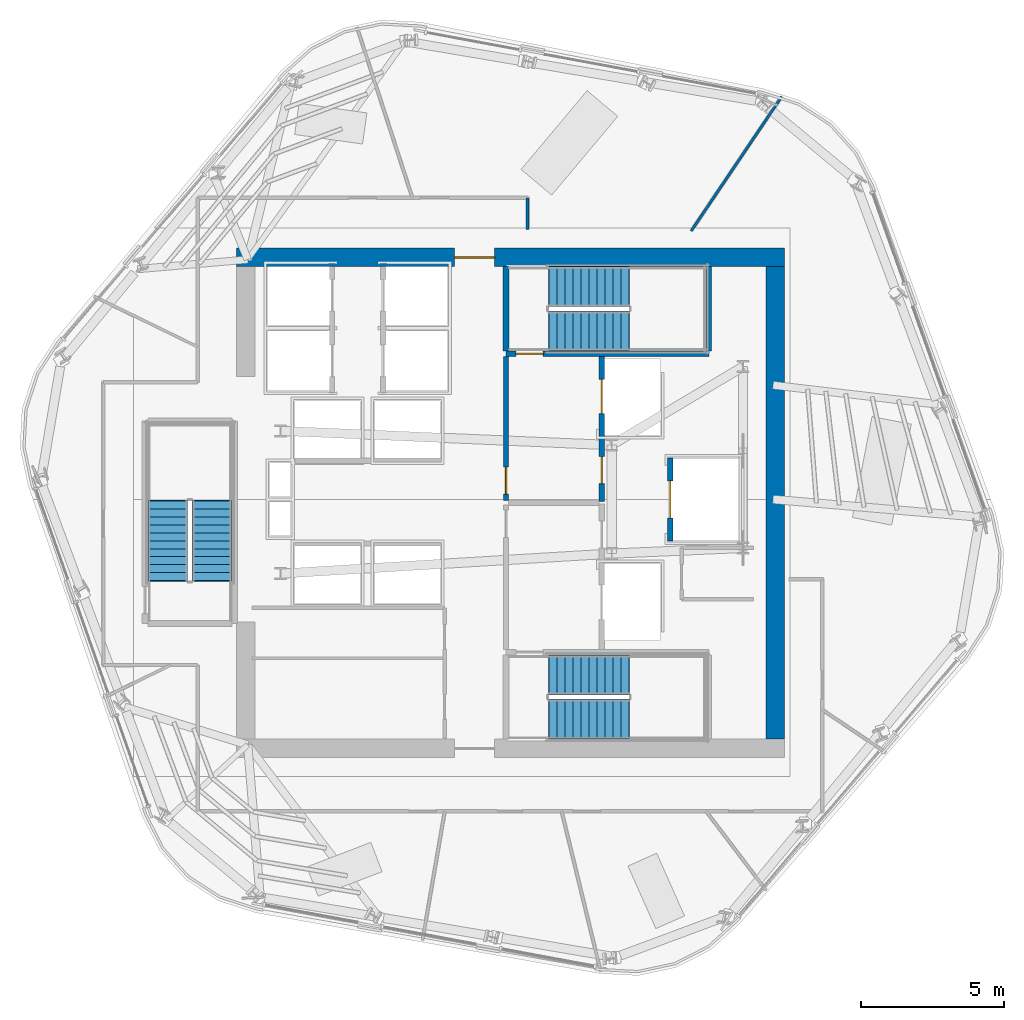
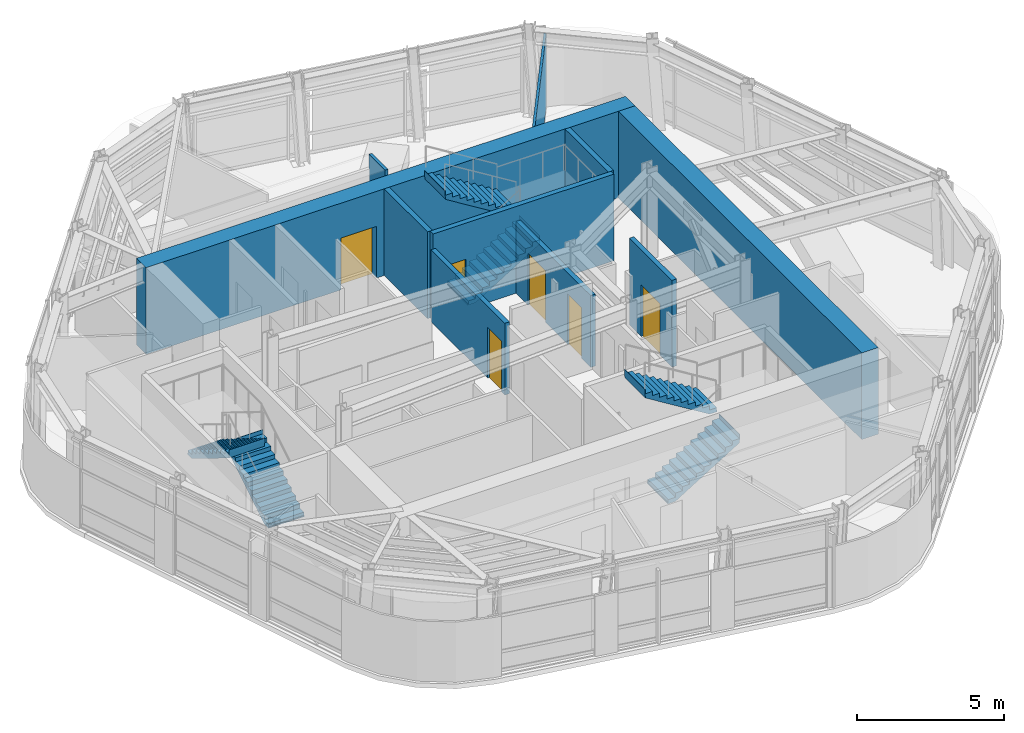
# One storey, part 7 of 12: 10 walls, 6 doors, 6 stair flights, 6 openings, 3 elements without a shape of their own.
"""IFC4 building model written with IfcOpenShell, lengths in metres."""

from ifc_helpers import new_model, si_unit, direction, frame, frame_2d, origin, place, context, subcontext, project, spatial, polyline, rectangle, outline, extrude, material, layer, layer_set, type_object, element, fill, aggregate, save


model = new_model("IFC4")

# Units and contexts
model_context = context("Model", 3, precision=1e-05, world=origin(), true_north=direction((0.0, 1.0)))
body_context = subcontext(model_context, "Body", "Model", "MODEL_VIEW")
ifc_project = project(units=[si_unit("LENGTHUNIT", "METRE"), si_unit("AREAUNIT", "SQUARE_METRE"), si_unit("VOLUMEUNIT", "CUBIC_METRE"), si_unit("PLANEANGLEUNIT", "RADIAN"), si_unit("MASSUNIT", "GRAM", prefix="KILO")], contexts=[model_context])

# Site, building, storey
site_placement = place(None, origin())
site = spatial("IfcSite", under=ifc_project, at=site_placement, CompositionType="ELEMENT")
building_placement = place(site_placement, origin())
building = spatial("IfcBuilding", under=site, at=building_placement, Name="Valkerne Bourse Tower", CompositionType="ELEMENT")
storey_placement = place(building_placement, frame((0.0, 0.0, 236.0)))
storey = spatial("IfcBuildingStorey", under=building, at=storey_placement, Name="L60", CompositionType="ELEMENT", Elevation=236.0)

# Wall, opening, door
ifc_material_1 = material(Name="Concrete C55/67", Category="concrete")
ifc_layer_1 = layer(ifc_material_1, 0.64990234375)
ifc_layer_set_1 = layer_set([ifc_layer_1], Name="Concrete C55/67")
wall_type_1 = type_object("IfcWallType", Name="W-CORE-650", PredefinedType="SHEAR", material=ifc_layer_set_1)
wall_1_placement = place(storey_placement, frame((37.199951171875, 35.47509765625, 0.0), z_axis=(0.0, 0.0, 1.0), x_axis=(1.0, 0.0, 0.0)))
wall_1 = element("IfcWall", 1, at=wall_1_placement, inside=storey, type_object=wall_type_1, Name="L60 Core Shear Wall NORTH", PredefinedType="SHEAR", context=body_context, shape_type="SweptSolid", body=[
    extrude(rectangle(XDim=19.199951171875, YDim=0.64990234375, at=frame_2d((9.60009765625, 0.0))), origin(), (0.0, 0.0, 1.0), 3.60009765625),
])
opening_1_placement = place(wall_1_placement, frame((7.64990234375, 0.0, 0.0)))
opening_1 = element("IfcOpeningElement", 2, at=opening_1_placement, cuts=wall_1, Name="Opening D-PL-1400", PredefinedType="OPENING", context=body_context, shape_type="SweptSolid", body=[
    extrude(rectangle(XDim=1.39990234375, YDim=2.14990234375, at=frame_2d((0.699951171875, 1.074951171875))), frame((0.0, 0.3349609375, 0.0), z_axis=(0.0, -1.0, 0.0), x_axis=(1.0, 0.0, 0.0)), (0.0, 0.0, 1.0), 0.669921875),
])
ifc_material_2 = material(Name="Galvanised Painted Steel", Category="steel")
door_type_1 = type_object("IfcDoorType", Name="DR-PLT-1400", OperationType="DOUBLE_DOOR_SINGLE_SWING", PredefinedType="DOOR", material=ifc_material_2)
door_1_placement = place(opening_1_placement, origin())
door_1 = element("IfcDoor", 3, at=door_1_placement, inside=storey, type_object=door_type_1, Name="L60 North Passenger Lift Hall Fire Door", OperationType="DOUBLE_DOOR_SINGLE_SWING", OverallHeight=2.14990234375, OverallWidth=1.39990234375, PredefinedType="DOOR", context=body_context, shape_type="SweptSolid", body=[
    extrude(rectangle(XDim=1.39990234375, YDim=2.14990234375, at=frame_2d((0.699951171875, 1.074951171875))), frame((0.0, 0.02490234375, 0.0), z_axis=(0.0, -1.0, 0.0), x_axis=(1.0, 0.0, 0.0)), (0.0, 0.0, 1.0), 0.050048828125),
])
fill(opening_1, door_1)

# Walls
wall_2_placement = place(storey_placement, frame((56.074951171875, 18.60009765625, 0.0), z_axis=(0.0, 0.0, 1.0), x_axis=(0.0, 1.0, 0.0)))
element("IfcWall", 4, at=wall_2_placement, inside=storey, type_object=wall_type_1, Name="L60 Core Shear Wall EAST", PredefinedType="SHEAR", context=body_context, shape_type="SweptSolid", body=[
    extrude(rectangle(XDim=16.5498046875, YDim=0.64990234375, at=frame_2d((8.27490234375, 0.0))), origin(), (0.0, 0.0, 1.0), 3.60009765625),
])
ifc_material_3 = material(Name="Gypsum Board Steel-Stud Partition", Category="steel")
ifc_layer_2 = layer(ifc_material_3, 0.117919921875)
ifc_layer_set_2 = layer_set([ifc_layer_2], Name="Gypsum Board Steel-Stud Partition")
wall_type_2 = type_object("IfcWallType", Name="W-CORR-140", PredefinedType="PARTITIONING", material=ifc_layer_set_2)
wall_3_placement = place(storey_placement, frame((47.39990234375, 37.56005859375, 0.0), z_axis=(0.0, 0.0, 1.0), x_axis=(0.0, -1.0, 0.0)))
element("IfcWall", 5, at=wall_3_placement, inside=storey, type_object=wall_type_2, Name="L60 Corridor Enclosure Wall", PredefinedType="PARTITIONING", context=body_context, shape_type="SweptSolid", body=[
    extrude(rectangle(XDim=1.10009765625, YDim=0.117919921875, at=frame_2d((0.550048828125, 0.0))), origin(), (0.0, 0.0, 1.0), 3.300048828125),
])

# Wall, opening, door
ifc_material_4 = material(Name="Gypsum Fire-Rated Shaftwall", Category="gypsum")
ifc_layer_3 = layer(ifc_material_4, 0.179931640625)
ifc_layer_set_3 = layer_set([ifc_layer_3], Name="Gypsum Fire-Rated Shaftwall")
wall_type_3 = type_object("IfcWallType", Name="W-FSAE-180", PredefinedType="PARTITIONING", material=ifc_layer_set_3)
wall_4_placement = place(storey_placement, frame((46.64990234375, 26.9599609375, 0.0), z_axis=(0.0, 0.0, 1.0), x_axis=(0.0, 1.0, 0.0)))
wall_4 = element("IfcWall", 6, at=wall_4_placement, inside=storey, type_object=wall_type_3, Name="L60 FSAE-2 Lobby West Fire Wall", PredefinedType="PARTITIONING", context=body_context, shape_type="SweptSolid", body=[
    extrude(rectangle(XDim=5.0400390625, YDim=0.179931640625, at=frame_2d((2.52001953125, 0.0))), origin(), (0.0, 0.0, 1.0), 2.977783203125),
])
opening_2_placement = place(wall_4_placement, frame((0.219970703125, 0.0, 0.0)))
opening_2 = element("IfcOpeningElement", 7, at=opening_2_placement, cuts=wall_4, Name="Opening D-FS-950", PredefinedType="OPENING", context=body_context, shape_type="SweptSolid", body=[
    extrude(rectangle(XDim=0.949951171875, YDim=2.10009765625, at=frame_2d((0.47509765625, 1.050048828125))), frame((0.0, 0.099853515625, 0.0), z_axis=(0.0, -1.0, 0.0), x_axis=(1.0, 0.0, 0.0)), (0.0, 0.0, 1.0), 0.199951171875),
])
door_type_2 = type_object("IfcDoorType", Name="DR-FSAE-950", OperationType="NOTDEFINED", PredefinedType="DOOR", material=ifc_material_2)
door_2_placement = place(opening_2_placement, origin())
door_2 = element("IfcDoor", 8, at=door_2_placement, inside=storey, type_object=door_type_2, Name="L60 FSAE-2 Hall Link Fire Door", OperationType="SINGLE_SWING_LEFT", OverallHeight=2.10009765625, OverallWidth=0.949951171875, PredefinedType="DOOR", context=body_context, shape_type="SweptSolid", body=[
    extrude(rectangle(XDim=0.949951171875, YDim=2.10009765625, at=frame_2d((0.47509765625, 1.050048828125))), frame((0.0, 0.02490234375, 0.0), z_axis=(0.0, -1.0, 0.0), x_axis=(1.0, 0.0, 0.0)), (0.0, 0.0, 1.0), 0.050048828125),
])
fill(opening_2, door_2)

# Wall, openings, doors
wall_5_placement = place(storey_placement, frame((50.0, 26.919921875, 0.0), z_axis=(0.0, 0.0, 1.0), x_axis=(0.0, 1.0, 0.0)))
wall_5 = element("IfcWall", 9, at=wall_5_placement, inside=storey, type_object=wall_type_3, Name="L60 FSAE-2 Lobby & Shaft Front Wall", PredefinedType="PARTITIONING", context=body_context, shape_type="SweptSolid", body=[
    extrude(rectangle(XDim=5.080078125, YDim=0.179931640625, at=frame_2d((2.5400390625, 0.0))), origin(), (0.0, 0.0, 1.0), 2.977783203125),
])
opening_3_placement = place(wall_5_placement, frame((3.080078125, 0.0, 0.0)))
opening_3 = element("IfcOpeningElement", 10, at=opening_3_placement, cuts=wall_5, Name="Opening LD-1200", PredefinedType="OPENING", context=body_context, shape_type="SweptSolid", body=[
    extrude(rectangle(XDim=1.199951171875, YDim=2.14990234375, at=frame_2d((0.60009765625, 1.074951171875))), frame((0.0, 0.099853515625, 0.0), z_axis=(0.0, -1.0, 0.0), x_axis=(1.0, 0.0, 0.0)), (0.0, 0.0, 1.0), 0.199951171875),
])
opening_4_placement = place(wall_5_placement, frame((0.6298828125, 0.0, 0.0)))
opening_4 = element("IfcOpeningElement", 11, at=opening_4_placement, cuts=wall_5, Name="Opening D-FS-950", PredefinedType="OPENING", context=body_context, shape_type="SweptSolid", body=[
    extrude(rectangle(XDim=0.949951171875, YDim=2.10009765625, at=frame_2d((0.47509765625, 1.050048828125))), frame((0.0, 0.099853515625, 0.0), z_axis=(0.0, -1.0, 0.0), x_axis=(1.0, 0.0, 0.0)), (0.0, 0.0, 1.0), 0.199951171875),
])
door_3_placement = place(opening_4_placement, origin())
door_3 = element("IfcDoor", 12, at=door_3_placement, inside=storey, type_object=door_type_2, Name="L60 FSAE-2 Lobby Corridor Fire Door", OperationType="SINGLE_SWING_LEFT", OverallHeight=2.10009765625, OverallWidth=0.949951171875, PredefinedType="DOOR", context=body_context, shape_type="SweptSolid", body=[
    extrude(rectangle(XDim=0.949951171875, YDim=2.10009765625, at=frame_2d((0.47509765625, 1.050048828125))), frame((0.0, 0.02490234375, 0.0), z_axis=(0.0, -1.0, 0.0), x_axis=(1.0, 0.0, 0.0)), (0.0, 0.0, 1.0), 0.050048828125),
])
fill(opening_4, door_3)
ifc_material_5 = material(Name="Stainless Steel AISI 316", Category="steel")
door_type_3 = type_object("IfcDoorType", Name="DR-LIFT-1200", OperationType="DOUBLE_DOOR_SLIDING", PredefinedType="DOOR", material=ifc_material_5)
door_4_placement = place(opening_3_placement, origin())
door_4 = element("IfcDoor", 13, at=door_4_placement, inside=storey, type_object=door_type_3, Name="L60 FSAE-2 Firefighting Lift Landing Door", OperationType="DOUBLE_DOOR_SLIDING", OverallHeight=2.14990234375, OverallWidth=1.199951171875, PredefinedType="DOOR", context=body_context, shape_type="SweptSolid", body=[
    extrude(rectangle(XDim=1.199951171875, YDim=2.14990234375, at=frame_2d((0.60009765625, 1.074951171875))), frame((0.0, 0.02490234375, 0.0), z_axis=(0.0, -1.0, 0.0), x_axis=(1.0, 0.0, 0.0)), (0.0, 0.0, 1.0), 0.050048828125),
])
fill(opening_3, door_4)

# Wall, opening, door
ifc_material_6 = material(Name="CMU Blockwork Masonry 200mm", Category="masonry")
ifc_layer_4 = layer(ifc_material_6, 0.179931640625)
ifc_layer_set_4 = layer_set([ifc_layer_4], Name="CMU Blockwork Masonry 200mm")
wall_type_4 = type_object("IfcWallType", Name="W-LFT-180", PredefinedType="SOLIDWALL", material=ifc_layer_set_4)
wall_6_placement = place(storey_placement, frame((52.39990234375, 25.550048828125, 0.0), z_axis=(0.0, 0.0, 1.0), x_axis=(0.0, 1.0, 0.0)))
wall_6 = element("IfcWall", 14, at=wall_6_placement, inside=storey, type_object=wall_type_4, Name="L60 Service Lift SV-1 Front Wall", PredefinedType="SOLIDWALL", context=body_context, shape_type="SweptSolid", body=[
    extrude(rectangle(XDim=2.89990234375, YDim=0.179931640625, at=frame_2d((1.449951171875, 0.0))), origin(), (0.0, 0.0, 1.0), 3.60009765625),
])
opening_5_placement = place(wall_6_placement, frame((0.800048828125, 0.0, 0.0)))
opening_5 = element("IfcOpeningElement", 15, at=opening_5_placement, cuts=wall_6, Name="Opening LD-1300", PredefinedType="OPENING", context=body_context, shape_type="SweptSolid", body=[
    extrude(rectangle(XDim=1.300048828125, YDim=2.14990234375, at=frame_2d((0.64990234375, 1.074951171875))), frame((0.0, 0.099853515625, 0.0), z_axis=(0.0, -1.0, 0.0), x_axis=(1.0, 0.0, 0.0)), (0.0, 0.0, 1.0), 0.199951171875),
])
door_type_4 = type_object("IfcDoorType", Name="DR-LIFT-1300", OperationType="DOUBLE_DOOR_SLIDING", PredefinedType="DOOR", material=ifc_material_5)
door_5_placement = place(opening_5_placement, origin())
door_5 = element("IfcDoor", 16, at=door_5_placement, inside=storey, type_object=door_type_4, Name="L60 Service Lift SV-1 Landing Door", OperationType="DOUBLE_DOOR_SLIDING", OverallHeight=2.14990234375, OverallWidth=1.300048828125, PredefinedType="DOOR", context=body_context, shape_type="SweptSolid", body=[
    extrude(rectangle(XDim=1.300048828125, YDim=2.14990234375, at=frame_2d((0.64990234375, 1.074951171875))), frame((0.0, 0.02490234375, 0.0), z_axis=(0.0, -1.0, 0.0), x_axis=(1.0, 0.0, 0.0)), (0.0, 0.0, 1.0), 0.050048828125),
])
fill(opening_5, door_5)

# Wall
ifc_layer_5 = layer(ifc_material_3, 0.092041015625)
ifc_layer_set_5 = layer_set([ifc_layer_5], Name="Gypsum Board Steel-Stud Partition")
wall_type_5 = type_object("IfcWallType", Name="W-PART-115", PredefinedType="PARTITIONING", material=ifc_layer_set_5)
wall_7_placement = place(storey_placement, frame((53.13330078125, 36.39990234375, 0.0), z_axis=(0.0, 0.0, 1.0), x_axis=(0.558734469546, 0.829346605793, 0.0)))
element("IfcWall", 17, at=wall_7_placement, inside=storey, type_object=wall_type_5, Name="L60 Suite Partition P05", PredefinedType="PARTITIONING", context=body_context, shape_type="SweptSolid", body=[
    extrude(rectangle(XDim=5.6748046875, YDim=0.092041015625, at=frame_2d((2.83740234375, 0.0))), origin(), (0.0, 0.0, 1.0), 3.036376953125),
])

# Wall, opening, door
ifc_material_7 = material(Name="Concrete C40/50", Category="concrete")
ifc_layer_6 = layer(ifc_material_7, 0.199951171875)
ifc_layer_set_6 = layer_set([ifc_layer_6], Name="Concrete C40/50")
wall_type_6 = type_object("IfcWallType", Name="W-SHF-200", PredefinedType="SHEAR", material=ifc_layer_set_6)
wall_8_placement = place(storey_placement, frame((46.64990234375, 32.10009765625, 0.0), z_axis=(0.0, 0.0, 1.0), x_axis=(1.0, 0.0, 0.0)))
wall_8 = element("IfcWall", 18, at=wall_8_placement, inside=storey, type_object=wall_type_6, Name="L60 Exit Stair ST-2 Structural Shaft Wall South", PredefinedType="SHEAR", context=body_context, shape_type="SweptSolid", body=[
    extrude(rectangle(XDim=7.10009765625, YDim=0.199951171875, at=frame_2d((3.550048828125, 0.0))), origin(), (0.0, 0.0, 1.0), 3.60009765625),
])
opening_6_placement = place(wall_8_placement, frame((0.35009765625, 0.0, 0.0)))
opening_6 = element("IfcOpeningElement", 19, at=opening_6_placement, cuts=wall_8, Name="Opening D-ST-950", PredefinedType="OPENING", context=body_context, shape_type="SweptSolid", body=[
    extrude(rectangle(XDim=0.949951171875, YDim=2.10009765625, at=frame_2d((0.47509765625, 1.050048828125))), frame((0.0, 0.10986328125, 0.0), z_axis=(0.0, -1.0, 0.0), x_axis=(1.0, 0.0, 0.0)), (0.0, 0.0, 1.0), 0.219970703125),
])
door_type_5 = type_object("IfcDoorType", Name="DR-STAIR-950", OperationType="NOTDEFINED", PredefinedType="DOOR", material=ifc_material_2)
door_6_placement = place(opening_6_placement, origin())
door_6 = element("IfcDoor", 20, at=door_6_placement, inside=storey, type_object=door_type_5, Name="L60 Exit Stair ST-2 Door", OperationType="SINGLE_SWING_RIGHT", OverallHeight=2.10009765625, OverallWidth=0.949951171875, PredefinedType="DOOR", context=body_context, shape_type="SweptSolid", body=[
    extrude(rectangle(XDim=0.949951171875, YDim=2.10009765625, at=frame_2d((0.47509765625, 1.050048828125))), frame((0.0, 0.02490234375, 0.0), z_axis=(0.0, -1.0, 0.0), x_axis=(1.0, 0.0, 0.0)), (0.0, 0.0, 1.0), 0.050048828125),
])
fill(opening_6, door_6)

# Walls
for number, where, z_axis, x_axis, name in (
    (21, (46.64990234375, 32.199951171875, 0.0), (0.0, 0.0, 1.0), (0.0, 1.0, 0.0), "L60 Exit Stair ST-2 Structural Shaft Wall West"),
    (22, (53.75, 32.199951171875, 0.0), (0.0, 0.0, 1.0), (0.0, 1.0, 0.0), "L60 Exit Stair ST-2 Structural Shaft Wall East"),
):
    element("IfcWall", number, at=place(storey_placement, frame(where, z_axis=z_axis, x_axis=x_axis)), inside=storey, type_object=wall_type_6, Name=name, PredefinedType="SHEAR", context=body_context, shape_type="SweptSolid", body=[
        extrude(rectangle(XDim=2.949951171875, YDim=0.199951171875, at=frame_2d((1.47509765625, 0.0))), origin(), (0.0, 0.0, 1.0), 3.60009765625),
    ])

# Stair, stair flights
stair_type = type_object("IfcStairType", Name="ST-CORE-1400", PredefinedType="HALF_TURN_STAIR", material=ifc_material_7)
stair_1_placement = place(storey_placement, origin())
stair_1 = element("IfcStair", 23, at=stair_1_placement, inside=storey, type_object=stair_type, Name="L60 ST-1", PredefinedType="HALF_TURN_STAIR")
stair_flight_type = type_object("IfcStairFlightType", Name="STF-CORE-1400", PredefinedType="STRAIGHT", material=ifc_material_7)
stair_flight_1_placement = place(storey_placement, frame((48.14990234375, 19.300048828125, 0.0), z_axis=(0.0, 0.0, 1.0), x_axis=(1.0, 0.0, 0.0)))
stair_flight_1 = element("IfcStairFlight", 24, at=stair_flight_1_placement, type_object=stair_flight_type, Name="ST-1 flight 1", NumberOfRisers=11, NumberOfTreads=10, PredefinedType="STRAIGHT", RiserHeight=0.172727273, TreadLength=0.28, context=body_context, shape_type="SweptSolid", body=[
    extrude(outline(polyline([(-0.02001953125, 0.0), (-0.02001953125, 0.044921875), (0.0, 0.044921875), (0.0, 0.172607421875), (0.280029296875, 0.172607421875), (0.280029296875, 0.345458984375), (0.56005859375, 0.345458984375), (0.56005859375, 0.51806640625), (0.840087890625, 0.51806640625), (0.840087890625, 0.69091796875), (1.1201171875, 0.69091796875), (1.1201171875, 0.863525390625), (1.39990234375, 0.863525390625), (1.39990234375, 1.036376953125), (1.679931640625, 1.036376953125), (1.679931640625, 1.208984375), (1.9599609375, 1.208984375), (1.9599609375, 1.3818359375), (2.239990234375, 1.3818359375), (2.239990234375, 1.554443359375), (2.52001953125, 1.554443359375), (2.52001953125, 1.727294921875), (2.800048828125, 1.727294921875), (2.800048828125, 1.89990234375), (2.820068359375, 1.89990234375), (2.820068359375, 1.780029296875), (2.800048828125, 1.551025390625), (0.285400390625, 0.0), (-0.02001953125, 0.0)])), frame((0.0, 0.699951171875, 0.0), z_axis=(0.0, -1.0, 0.0), x_axis=(1.0, 0.0, 0.0)), (0.0, 0.0, 1.0), 1.39990234375),
])
stair_flight_2_placement = place(storey_placement, frame((50.949951171875, 20.85009765625, 1.89990234375), z_axis=(0.0, 0.0, 1.0), x_axis=(-1.0, 0.0, 0.0)))
stair_flight_2 = element("IfcStairFlight", 25, at=stair_flight_2_placement, type_object=stair_flight_type, Name="ST-1 flight 2", NumberOfRisers=11, NumberOfTreads=10, PredefinedType="STRAIGHT", RiserHeight=0.172727273, TreadLength=0.28, context=body_context, shape_type="SweptSolid", body=[
    extrude(outline(polyline([(-0.02001953125, 0.0), (-0.02001953125, 0.044921875), (0.0, 0.044921875), (0.0, 0.172607421875), (0.280029296875, 0.172607421875), (0.280029296875, 0.345458984375), (0.56005859375, 0.345458984375), (0.56005859375, 0.51806640625), (0.840087890625, 0.51806640625), (0.840087890625, 0.69091796875), (1.1201171875, 0.69091796875), (1.1201171875, 0.863525390625), (1.39990234375, 0.863525390625), (1.39990234375, 1.036376953125), (1.679931640625, 1.036376953125), (1.679931640625, 1.208984375), (1.9599609375, 1.208984375), (1.9599609375, 1.3818359375), (2.239990234375, 1.3818359375), (2.239990234375, 1.554443359375), (2.52001953125, 1.554443359375), (2.52001953125, 1.727294921875), (2.800048828125, 1.727294921875), (2.800048828125, 1.89990234375), (2.820068359375, 1.89990234375), (2.820068359375, 1.780029296875), (2.800048828125, 1.551025390625), (0.285400390625, 0.0), (-0.02001953125, 0.0)])), frame((0.0, 0.699951171875, 0.0), z_axis=(0.0, -1.0, 0.0), x_axis=(1.0, 0.0, 0.0)), (0.0, 0.0, 1.0), 1.39990234375),
])
aggregate(stair_1, [stair_flight_1, stair_flight_2])

stair_2_placement = place(storey_placement, origin())
stair_2 = element("IfcStair", 26, at=stair_2_placement, inside=storey, type_object=stair_type, Name="L60 ST-2", PredefinedType="HALF_TURN_STAIR")
stair_flight_3_placement = place(storey_placement, frame((48.14990234375, 32.89990234375, 0.0), z_axis=(0.0, 0.0, 1.0), x_axis=(1.0, 0.0, 0.0)))
stair_flight_3 = element("IfcStairFlight", 27, at=stair_flight_3_placement, type_object=stair_flight_type, Name="ST-2 flight 1", NumberOfRisers=11, NumberOfTreads=10, PredefinedType="STRAIGHT", RiserHeight=0.172727273, TreadLength=0.28, context=body_context, shape_type="SweptSolid", body=[
    extrude(outline(polyline([(-0.02001953125, 0.0), (-0.02001953125, 0.044921875), (0.0, 0.044921875), (0.0, 0.172607421875), (0.280029296875, 0.172607421875), (0.280029296875, 0.345458984375), (0.56005859375, 0.345458984375), (0.56005859375, 0.51806640625), (0.840087890625, 0.51806640625), (0.840087890625, 0.69091796875), (1.1201171875, 0.69091796875), (1.1201171875, 0.863525390625), (1.39990234375, 0.863525390625), (1.39990234375, 1.036376953125), (1.679931640625, 1.036376953125), (1.679931640625, 1.208984375), (1.9599609375, 1.208984375), (1.9599609375, 1.3818359375), (2.239990234375, 1.3818359375), (2.239990234375, 1.554443359375), (2.52001953125, 1.554443359375), (2.52001953125, 1.727294921875), (2.800048828125, 1.727294921875), (2.800048828125, 1.89990234375), (2.820068359375, 1.89990234375), (2.820068359375, 1.780029296875), (2.800048828125, 1.551025390625), (0.285400390625, 0.0), (-0.02001953125, 0.0)])), frame((0.0, 0.699951171875, 0.0), z_axis=(0.0, -1.0, 0.0), x_axis=(1.0, 0.0, 0.0)), (0.0, 0.0, 1.0), 1.39990234375),
])
stair_flight_4_placement = place(storey_placement, frame((50.949951171875, 34.449951171875, 1.89990234375), z_axis=(0.0, 0.0, 1.0), x_axis=(-1.0, 0.0, 0.0)))
stair_flight_4 = element("IfcStairFlight", 28, at=stair_flight_4_placement, type_object=stair_flight_type, Name="ST-2 flight 2", NumberOfRisers=11, NumberOfTreads=10, PredefinedType="STRAIGHT", RiserHeight=0.172727273, TreadLength=0.28, context=body_context, shape_type="SweptSolid", body=[
    extrude(outline(polyline([(-0.02001953125, 0.0), (-0.02001953125, 0.044921875), (0.0, 0.044921875), (0.0, 0.172607421875), (0.280029296875, 0.172607421875), (0.280029296875, 0.345458984375), (0.56005859375, 0.345458984375), (0.56005859375, 0.51806640625), (0.840087890625, 0.51806640625), (0.840087890625, 0.69091796875), (1.1201171875, 0.69091796875), (1.1201171875, 0.863525390625), (1.39990234375, 0.863525390625), (1.39990234375, 1.036376953125), (1.679931640625, 1.036376953125), (1.679931640625, 1.208984375), (1.9599609375, 1.208984375), (1.9599609375, 1.3818359375), (2.239990234375, 1.3818359375), (2.239990234375, 1.554443359375), (2.52001953125, 1.554443359375), (2.52001953125, 1.727294921875), (2.800048828125, 1.727294921875), (2.800048828125, 1.89990234375), (2.820068359375, 1.89990234375), (2.820068359375, 1.780029296875), (2.800048828125, 1.551025390625), (0.285400390625, 0.0), (-0.02001953125, 0.0)])), frame((0.0, 0.699951171875, 0.0), z_axis=(0.0, -1.0, 0.0), x_axis=(1.0, 0.0, 0.0)), (0.0, 0.0, 1.0), 1.39990234375),
])
aggregate(stair_2, [stair_flight_3, stair_flight_4])

stair_3_placement = place(storey_placement, origin())
stair_3 = element("IfcStair", 29, at=stair_3_placement, inside=storey, type_object=stair_type, Name="L60 ST-3", PredefinedType="HALF_TURN_STAIR")
stair_flight_5_placement = place(storey_placement, frame((36.35009765625, 24.14990234375, 0.0), z_axis=(0.0, 0.0, 1.0), x_axis=(0.0, 1.0, 0.0)))
stair_flight_5 = element("IfcStairFlight", 30, at=stair_flight_5_placement, type_object=stair_flight_type, Name="ST-3 flight 1", NumberOfRisers=11, NumberOfTreads=10, PredefinedType="STRAIGHT", RiserHeight=0.172727273, TreadLength=0.28, context=body_context, shape_type="SweptSolid", body=[
    extrude(outline(polyline([(-0.02001953125, 0.0), (-0.02001953125, 0.044921875), (0.0, 0.044921875), (0.0, 0.172607421875), (0.280029296875, 0.172607421875), (0.280029296875, 0.345458984375), (0.56005859375, 0.345458984375), (0.56005859375, 0.51806640625), (0.840087890625, 0.51806640625), (0.840087890625, 0.69091796875), (1.1201171875, 0.69091796875), (1.1201171875, 0.863525390625), (1.39990234375, 0.863525390625), (1.39990234375, 1.036376953125), (1.679931640625, 1.036376953125), (1.679931640625, 1.208984375), (1.9599609375, 1.208984375), (1.9599609375, 1.3818359375), (2.239990234375, 1.3818359375), (2.239990234375, 1.554443359375), (2.52001953125, 1.554443359375), (2.52001953125, 1.727294921875), (2.800048828125, 1.727294921875), (2.800048828125, 1.89990234375), (2.820068359375, 1.89990234375), (2.820068359375, 1.780029296875), (2.800048828125, 1.551025390625), (0.285400390625, 0.0), (-0.02001953125, 0.0)])), frame((0.0, 0.699951171875, 0.0), z_axis=(0.0, -1.0, 0.0), x_axis=(1.0, 0.0, 0.0)), (0.0, 0.0, 1.0), 1.39990234375),
])
stair_flight_6_placement = place(storey_placement, frame((34.800048828125, 26.949951171875, 1.89990234375), z_axis=(0.0, 0.0, 1.0), x_axis=(0.0, -1.0, 0.0)))
stair_flight_6 = element("IfcStairFlight", 31, at=stair_flight_6_placement, type_object=stair_flight_type, Name="ST-3 flight 2", NumberOfRisers=11, NumberOfTreads=10, PredefinedType="STRAIGHT", RiserHeight=0.172727273, TreadLength=0.28, context=body_context, shape_type="SweptSolid", body=[
    extrude(outline(polyline([(-0.02001953125, 0.0), (-0.02001953125, 0.044921875), (0.0, 0.044921875), (0.0, 0.172607421875), (0.280029296875, 0.172607421875), (0.280029296875, 0.345458984375), (0.56005859375, 0.345458984375), (0.56005859375, 0.51806640625), (0.840087890625, 0.51806640625), (0.840087890625, 0.69091796875), (1.1201171875, 0.69091796875), (1.1201171875, 0.863525390625), (1.39990234375, 0.863525390625), (1.39990234375, 1.036376953125), (1.679931640625, 1.036376953125), (1.679931640625, 1.208984375), (1.9599609375, 1.208984375), (1.9599609375, 1.3818359375), (2.239990234375, 1.3818359375), (2.239990234375, 1.554443359375), (2.52001953125, 1.554443359375), (2.52001953125, 1.727294921875), (2.800048828125, 1.727294921875), (2.800048828125, 1.89990234375), (2.820068359375, 1.89990234375), (2.820068359375, 1.780029296875), (2.800048828125, 1.551025390625), (0.285400390625, 0.0), (-0.02001953125, 0.0)])), frame((0.0, 0.699951171875, 0.0), z_axis=(0.0, -1.0, 0.0), x_axis=(1.0, 0.0, 0.0)), (0.0, 0.0, 1.0), 1.39990234375),
])
aggregate(stair_3, [stair_flight_5, stair_flight_6])

save(model, "model.ifc")
